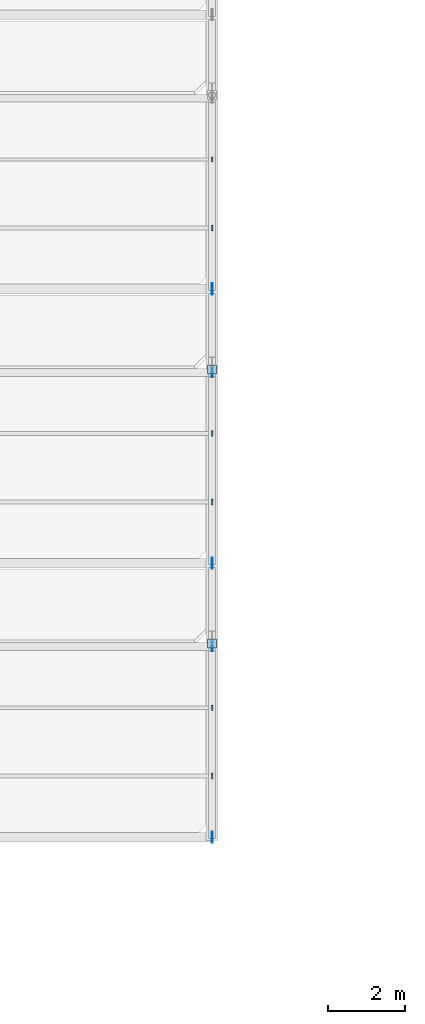
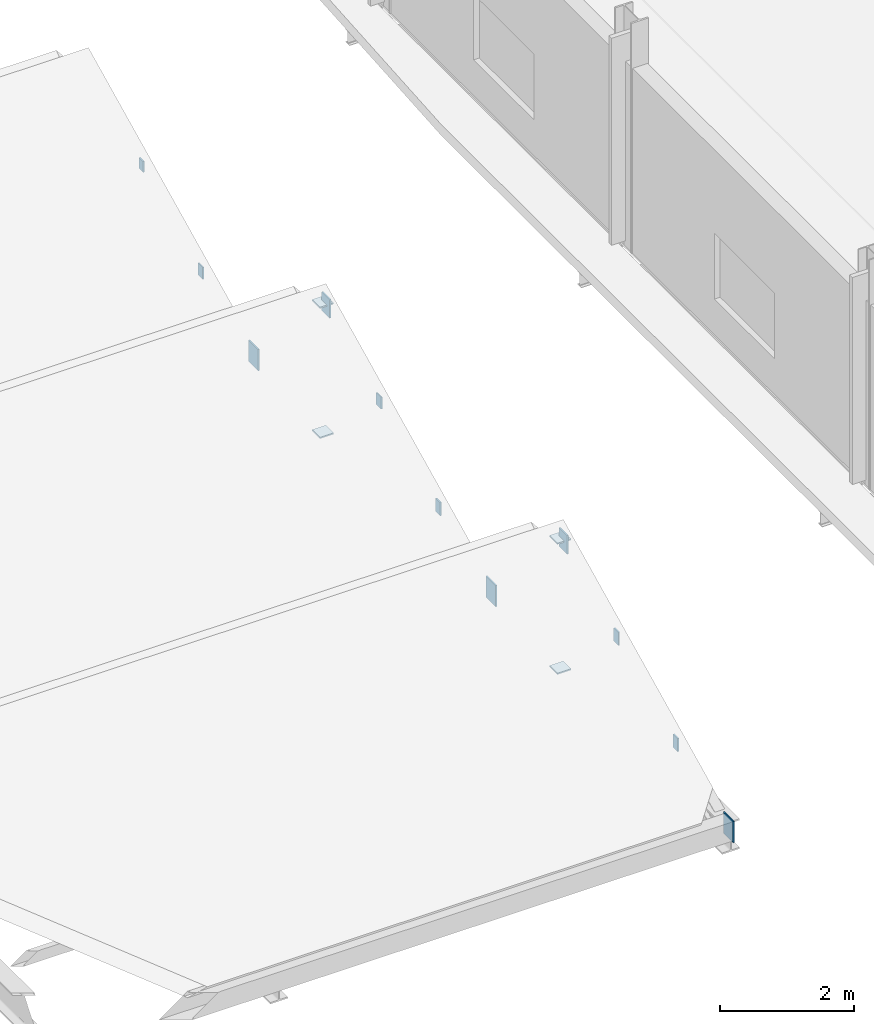
# One storey, part 111 of 138: 15 plates.
"""IFC4 building model written with IfcOpenShell, lengths in metres."""

from ifc_helpers import new_model, si_unit, direction, frame, origin, origin_2d, place, context, subcontext, project, spatial, rectangle, extrude, material, material_profile, profile_set, type_object, element, save


model = new_model("IFC4")

# Units and contexts
model_context = context("Model", 3, precision=1e-05, world=origin(), true_north=direction((0.0, 1.0)))
body_context = subcontext(model_context, "Body", "Model", "MODEL_VIEW")
ifc_project = project(units=[si_unit("LENGTHUNIT", "METRE"), si_unit("AREAUNIT", "SQUARE_METRE"), si_unit("VOLUMEUNIT", "CUBIC_METRE"), si_unit("PLANEANGLEUNIT", "RADIAN"), si_unit("MASSUNIT", "GRAM", prefix="KILO")], contexts=[model_context])

# Site, building, storey
site_placement = place(None, origin())
site = spatial("IfcSite", under=ifc_project, at=site_placement, CompositionType="ELEMENT")
building_placement = place(site_placement, origin())
building = spatial("IfcBuilding", under=site, at=building_placement, Name="Vinh Khe Railworks Police Headquarters", CompositionType="ELEMENT")
storey_placement = place(building_placement, frame((0.0, 0.0, 9.0)))
storey = spatial("IfcBuildingStorey", under=building, at=storey_placement, Name="L02", CompositionType="ELEMENT", Elevation=9.0)

# Plates
ifc_material = material(Name="Steel S355JR", Category="steel")
ifc_material_profile_1 = material_profile(ifc_material, rectangle(XDim=0.1201171875, YDim=0.199951171875, at=origin_2d()), Name="PL 120x200")
ifc_profile_set_1 = profile_set([ifc_material_profile_1], Name="Steel S355JR")
plate_type_1 = type_object("IfcPlateType", Name="Steel End-Cap Plate 120x200x24", PredefinedType="SHEET", material=ifc_profile_set_1)
plate_placement = place(storey_placement, frame((71.39990234375, 155.635498046875, 1.761962890625), z_axis=(1.0, 0.0, 0.0), x_axis=(0.0, 1.0, 0.0)))
element("IfcPlate", 1, at=plate_placement, inside=storey, type_object=plate_type_1, Name="End-Cap Gusset Plate PLT-EP-0679", PredefinedType="SHEET", context=body_context, shape_type="SweptSolid", body=[
    extrude(rectangle(XDim=0.1201171875, YDim=0.199951171875, at=origin_2d()), origin(), (0.0, 0.0, 1.0), 0.024169921875),
])
ifc_material_profile_2 = material_profile(ifc_material, rectangle(XDim=0.139892578125, YDim=0.219970703125, at=origin_2d()), Name="PL 140x220")
ifc_profile_set_2 = profile_set([ifc_material_profile_2], Name="Steel S355JR")
plate_type_2 = type_object("IfcPlateType", Name="Steel End-Cap Plate 140x220x24", PredefinedType="SHEET", material=ifc_profile_set_2)
for number, where, z_axis, x_axis, name in (
    (2, (71.39990234375, 148.53564453125, 1.761962890625), (1.0, 0.0, 0.0), (0.0, 1.0, 0.0), "End-Cap Gusset Plate PLT-EP-0673"),
    (3, (71.39990234375, 153.864501953125, 0.89794921875), (1.0, 0.0, 0.0), (0.0, 1.0, 0.0), "End-Cap Gusset Plate PLT-EP-0678"),
):
    element("IfcPlate", number, at=place(storey_placement, frame(where, z_axis=z_axis, x_axis=x_axis)), inside=storey, type_object=plate_type_2, Name=name, PredefinedType="SHEET", context=body_context, shape_type="SweptSolid", body=[
        extrude(rectangle(XDim=0.139892578125, YDim=0.219970703125, at=origin_2d()), origin(), (0.0, 0.0, 1.0), 0.024169921875),
    ])
ifc_material_profile_3 = material_profile(ifc_material, rectangle(XDim=0.139892578125, YDim=0.239990234375, at=origin_2d()), Name="PL 140x240")
ifc_profile_set_3 = profile_set([ifc_material_profile_3], Name="Steel S355JR")
plate_type_3 = type_object("IfcPlateType", Name="Steel End-Cap Plate 140x240x24", PredefinedType="SHEET", material=ifc_profile_set_3)
for number, where, z_axis, x_axis, name in (
    (4, (71.39990234375, 139.664306640625, 0.89794921875), (1.0, 0.0, 0.0), (0.0, 1.0, 0.0), "End-Cap Gusset Plate PLT-EP-0666"),
    (5, (71.39990234375, 141.435546875, 1.761962890625), (1.0, 0.0, 0.0), (0.0, 1.0, 0.0), "End-Cap Gusset Plate PLT-EP-0667"),
    (6, (71.39990234375, 146.764404296875, 0.89794921875), (1.0, 0.0, 0.0), (0.0, 1.0, 0.0), "End-Cap Gusset Plate PLT-EP-0672"),
):
    element("IfcPlate", number, at=place(storey_placement, frame(where, z_axis=z_axis, x_axis=x_axis)), inside=storey, type_object=plate_type_3, Name=name, PredefinedType="SHEET", context=body_context, shape_type="SweptSolid", body=[
        extrude(rectangle(XDim=0.139892578125, YDim=0.239990234375, at=origin_2d()), origin(), (0.0, 0.0, 1.0), 0.024169921875),
    ])
ifc_material_profile_4 = material_profile(ifc_material, rectangle(XDim=0.23388671875, YDim=0.23388671875, at=origin_2d()), Name="PL 234x234")
ifc_profile_set_4 = profile_set([ifc_material_profile_4], Name="Steel S355JR")
plate_type_4 = type_object("IfcPlateType", Name="Steel End-Cap Plate 234x234x24", PredefinedType="SHEET", material=ifc_profile_set_4)
for number, where, z_axis, x_axis, name in (
    (7, (71.39990234375, 143.10009765625, 0.199951171875), (0.0, 0.0, -1.0), (1.0, 0.0, 0.0), "End-Cap Gusset Plate PLT-EP-0669"),
    (8, (71.39990234375, 143.10009765625, 2.550048828125), (0.0, 0.0, 1.0), (1.0, 0.0, 0.0), "End-Cap Gusset Plate PLT-EP-0670"),
    (9, (71.39990234375, 150.199951171875, 0.199951171875), (0.0, 0.0, -1.0), (1.0, 0.0, 0.0), "End-Cap Gusset Plate PLT-EP-0675"),
    (10, (71.39990234375, 150.199951171875, 2.550048828125), (0.0, 0.0, 1.0), (1.0, 0.0, 0.0), "End-Cap Gusset Plate PLT-EP-0676"),
):
    element("IfcPlate", number, at=place(storey_placement, frame(where, z_axis=z_axis, x_axis=x_axis)), inside=storey, type_object=plate_type_4, Name=name, PredefinedType="SHEET", context=body_context, shape_type="SweptSolid", body=[
        extrude(rectangle(XDim=0.23388671875, YDim=0.23388671875, at=origin_2d()), origin(), (0.0, 0.0, 1.0), 0.02392578125),
    ])
ifc_material_profile_5 = material_profile(ifc_material, rectangle(XDim=0.239990234375, YDim=0.340087890625, at=origin_2d()), Name="PL 240x340")
ifc_profile_set_5 = profile_set([ifc_material_profile_5], Name="Steel S355JR")
plate_type_5 = type_object("IfcPlateType", Name="Steel End-Cap Plate 240x340x24", PredefinedType="SHEET", material=ifc_profile_set_5)
for number, where, z_axis, x_axis, name in (
    (11, (71.39990234375, 143.02001953125, 2.550048828125), (1.0, 0.0, 0.0), (0.0, 1.0, 0.0), "End-Cap Gusset Plate PLT-EP-0668"),
    (12, (71.39990234375, 150.1201171875, 2.550048828125), (1.0, 0.0, 0.0), (0.0, 1.0, 0.0), "End-Cap Gusset Plate PLT-EP-0674"),
):
    element("IfcPlate", number, at=place(storey_placement, frame(where, z_axis=z_axis, x_axis=x_axis)), inside=storey, type_object=plate_type_5, Name=name, PredefinedType="SHEET", context=body_context, shape_type="SweptSolid", body=[
        extrude(rectangle(XDim=0.239990234375, YDim=0.340087890625, at=origin_2d()), origin(), (0.0, 0.0, 1.0), 0.024169921875),
    ])
ifc_material_profile_6 = material_profile(ifc_material, rectangle(XDim=0.2900390625, YDim=0.389892578125, at=origin_2d()), Name="PL 290x390")
ifc_profile_set_6 = profile_set([ifc_material_profile_6], Name="Steel S355JR")
plate_type_6 = type_object("IfcPlateType", Name="Steel End-Cap Plate 290x390x24", PredefinedType="SHEET", material=ifc_profile_set_6)
for number, where, z_axis, x_axis, name in (
    (13, (71.39990234375, 138.080078125, 0.320068359375), (1.0, 0.0, 0.0), (0.0, 1.0, 0.0), "End-Cap Gusset Plate PLT-EP-0665"),
    (14, (71.39990234375, 145.179931640625, 0.320068359375), (1.0, 0.0, 0.0), (0.0, 1.0, 0.0), "End-Cap Gusset Plate PLT-EP-0671"),
    (15, (71.39990234375, 152.280029296875, 0.320068359375), (1.0, 0.0, 0.0), (0.0, 1.0, 0.0), "End-Cap Gusset Plate PLT-EP-0677"),
):
    element("IfcPlate", number, at=place(storey_placement, frame(where, z_axis=z_axis, x_axis=x_axis)), inside=storey, type_object=plate_type_6, Name=name, PredefinedType="SHEET", context=body_context, shape_type="SweptSolid", body=[
        extrude(rectangle(XDim=0.2900390625, YDim=0.389892578125, at=origin_2d()), origin(), (0.0, 0.0, 1.0), 0.024169921875),
    ])

save(model, "model.ifc")
